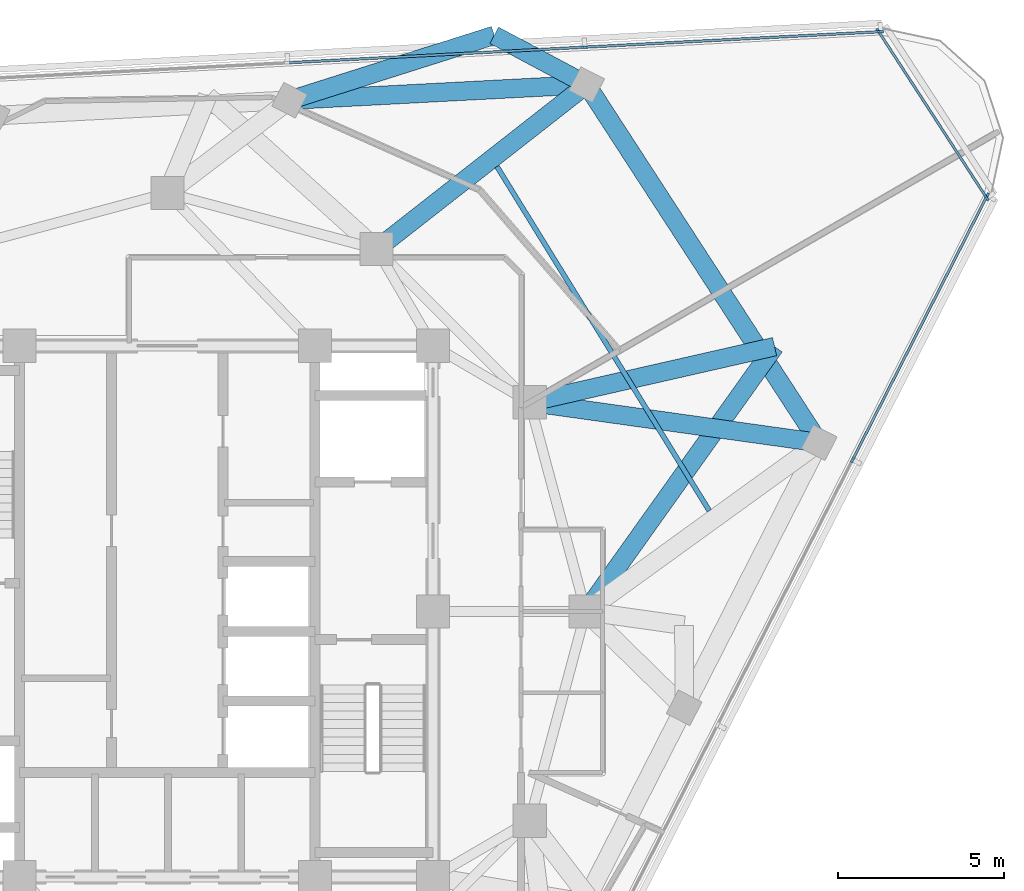
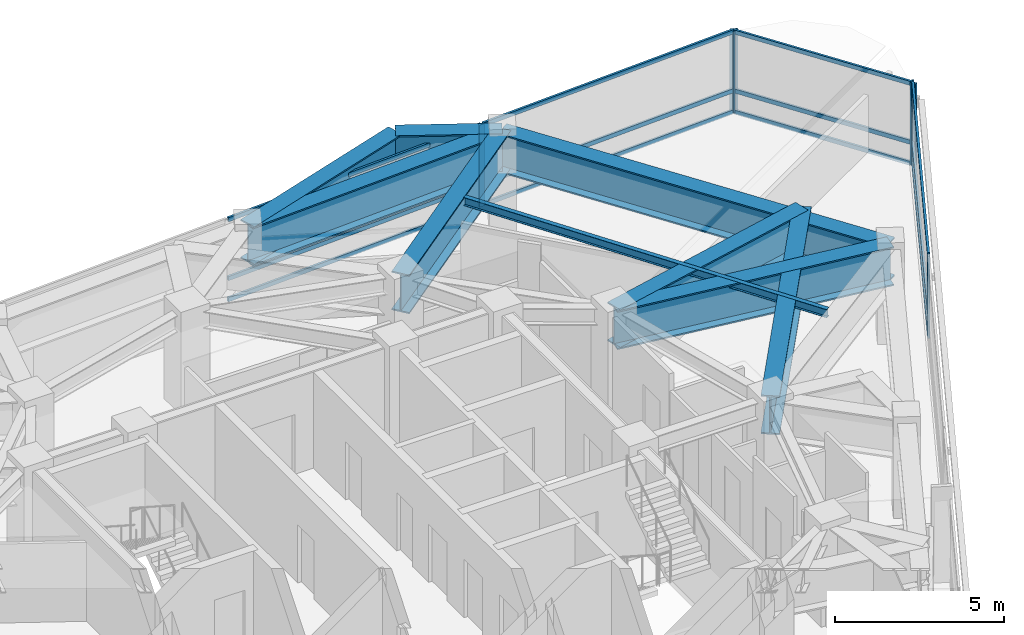
# One storey, part 6 of 15: 18 members, 9 beams, 3 elements without a shape of their own.
"""IFC4 building model written with IfcOpenShell, lengths in metres."""

from ifc_helpers import new_model, si_unit, direction, frame, origin, origin_2d, place, context, subcontext, project, spatial, rectangle, i_section, extrude, material, layer, layer_set, material_profile, profile_set, type_object, element, aggregate, save


model = new_model("IFC4")

# Units and contexts
model_context = context("Model", 3, precision=1e-05, world=origin(), true_north=direction((0.0, 1.0)))
body_context = subcontext(model_context, "Body", "Model", "MODEL_VIEW")
ifc_project = project(units=[si_unit("LENGTHUNIT", "METRE"), si_unit("AREAUNIT", "SQUARE_METRE"), si_unit("VOLUMEUNIT", "CUBIC_METRE"), si_unit("PLANEANGLEUNIT", "RADIAN"), si_unit("MASSUNIT", "GRAM", prefix="KILO")], contexts=[model_context])

# Site, building, storey
site_placement = place(None, origin())
site = spatial("IfcSite", under=ifc_project, at=site_placement, CompositionType="ELEMENT")
building_placement = place(site_placement, origin())
building = spatial("IfcBuilding", under=site, at=building_placement, Name="Terralouvre Media Tower", CompositionType="ELEMENT")
storey_placement = place(building_placement, frame((0.0, 0.0, 274.39990234375)))
storey = spatial("IfcBuildingStorey", under=building, at=storey_placement, Name="L71", CompositionType="ELEMENT", Elevation=274.39990234375)

# Beam
ifc_material_1 = material(Name="Structural steel S355J2", Category="steel")
ifc_material_profile_1 = material_profile(ifc_material_1, i_section(OverallWidth=0.14990234375, OverallDepth=0.300048828125, WebThickness=0.007080078125, FlangeThickness=0.0107421875, at=origin_2d()), Name="IPE 300")
ifc_profile_set_1 = profile_set([ifc_material_profile_1], Name="Structural steel S355J2")
beam_type_1 = type_object("IfcBeamType", Name="Composite Floor Joist J-IPE300 (IPE 300)", PredefinedType="JOIST", material=ifc_profile_set_1)
beam_1_placement = place(storey_placement, frame((16.31982421875, 3.032470703125, 3.31005859375), z_axis=(-0.524940502882, 0.851138924286, 0.0), x_axis=(-0.851138924286, -0.524940502882, 0.0)))
element("IfcBeam", 1, at=beam_1_placement, inside=storey, type_object=beam_type_1, Name="L71 Framing Beam JT-L71-03", PredefinedType="JOIST", context=body_context, shape_type="SweptSolid", body=[
    extrude(i_section(OverallWidth=0.14990234375, OverallDepth=0.300048828125, WebThickness=0.007080078125, FlangeThickness=0.0107421875, at=origin_2d()), origin(), (0.0, 0.0, 1.0), 12.1787109375),
])

# Curtain wall, members
ifc_material_2 = material(Name="Low-iron laminated double glazing with solar-control coating", Category="glass")
ifc_layer_1 = layer(ifc_material_2, 0.1650390625, Name="Upper Executive Tower Curtain Wall CW-05")
ifc_layer_set_1 = layer_set([ifc_layer_1], Name="Low-iron laminated double glazing with solar-control coating")
curtain_wall_type_1 = type_object("IfcCurtainWallType", Name="Upper Executive Tower Curtain Wall CW-05", PredefinedType="NOTDEFINED", material=ifc_layer_set_1)
curtain_wall_1_placement = place(storey_placement, origin())
curtain_wall_1 = element("IfcCurtainWall", 2, at=curtain_wall_1_placement, inside=storey, type_object=curtain_wall_type_1, Name="L71 Facade Curtain Wall F0", PredefinedType="NOTDEFINED")
ifc_material_3 = material(Name="Anodised extruded aluminium 6063-T6", Category="aluminium")
ifc_material_profile_2 = material_profile(ifc_material_3, rectangle(XDim=0.074951171875, YDim=0.14990234375, at=origin_2d()), Name="ALU 75x150")
ifc_profile_set_2 = profile_set([ifc_material_profile_2], Name="Anodised extruded aluminium 6063-T6")
member_type_1 = type_object("IfcMemberType", Name="Curtain-Wall Horizontal Transom TR-150", PredefinedType="USERDEFINED", material=ifc_profile_set_2)
member_1_placement = place(storey_placement, frame((20.6533203125, 4.602783203125, 0.03759765625), z_axis=(0.453989026721, 0.891007274727, 0.0), x_axis=(-0.891007274727, 0.453989026721, 0.0)))
member_1 = element("IfcMember", 3, at=member_1_placement, type_object=member_type_1, Name="CW-05 transom 5.1", ObjectType="TRANSOM", PredefinedType="USERDEFINED", context=body_context, shape_type="SweptSolid", body=[
    extrude(rectangle(XDim=0.074951171875, YDim=0.14990234375, at=origin_2d()), origin(), (0.0, 0.0, 1.0), 8.847412109375),
])
member_2_placement = place(storey_placement, frame((20.6533203125, 4.602783203125, 0.800048828125), z_axis=(0.453989026721, 0.891007274727, 0.0), x_axis=(-0.891007274727, 0.453989026721, 0.0)))
member_2 = element("IfcMember", 4, at=member_2_placement, type_object=member_type_1, Name="CW-05 transom 5.2", ObjectType="TRANSOM", PredefinedType="USERDEFINED", context=body_context, shape_type="SweptSolid", body=[
    extrude(rectangle(XDim=0.074951171875, YDim=0.14990234375, at=origin_2d()), origin(), (0.0, 0.0, 1.0), 8.847412109375),
])
member_3_placement = place(storey_placement, frame((20.6533203125, 4.602783203125, 2.922607421875), z_axis=(0.453989026721, 0.891007274727, 0.0), x_axis=(-0.891007274727, 0.453989026721, 0.0)))
member_3 = element("IfcMember", 5, at=member_3_placement, type_object=member_type_1, Name="CW-05 transom 5.3", ObjectType="TRANSOM", PredefinedType="USERDEFINED", context=body_context, shape_type="SweptSolid", body=[
    extrude(rectangle(XDim=0.074951171875, YDim=0.14990234375, at=origin_2d()), origin(), (0.0, 0.0, 1.0), 8.847412109375),
])

curtain_wall_2_placement = place(storey_placement, origin())
curtain_wall_2 = element("IfcCurtainWall", 6, at=curtain_wall_2_placement, inside=storey, type_object=curtain_wall_type_1, Name="L71 Facade Curtain Wall F1", PredefinedType="NOTDEFINED")
member_4_placement = place(storey_placement, frame((21.440673828125, 17.458740234375, 0.03759765625), z_axis=(-0.99862901196, -0.052345930801, 0.0), x_axis=(0.052345930801, -0.99862901196, 0.0)))
member_4 = element("IfcMember", 7, at=member_4_placement, type_object=member_type_1, Name="CW-05 transom 1.1", ObjectType="TRANSOM", PredefinedType="USERDEFINED", context=body_context, shape_type="SweptSolid", body=[
    extrude(rectangle(XDim=0.074951171875, YDim=0.14990234375, at=origin_2d()), origin(), (0.0, 0.0, 1.0), 8.84765625),
])
member_5_placement = place(storey_placement, frame((21.440673828125, 17.458740234375, 0.800048828125), z_axis=(-0.99862901196, -0.052345930801, 0.0), x_axis=(0.052345930801, -0.99862901196, 0.0)))
member_5 = element("IfcMember", 8, at=member_5_placement, type_object=member_type_1, Name="CW-05 transom 1.2", ObjectType="TRANSOM", PredefinedType="USERDEFINED", context=body_context, shape_type="SweptSolid", body=[
    extrude(rectangle(XDim=0.074951171875, YDim=0.14990234375, at=origin_2d()), origin(), (0.0, 0.0, 1.0), 8.84765625),
])
member_6_placement = place(storey_placement, frame((21.440673828125, 17.458740234375, 2.922607421875), z_axis=(-0.99862901196, -0.052345930801, 0.0), x_axis=(0.052345930801, -0.99862901196, 0.0)))
member_6 = element("IfcMember", 9, at=member_6_placement, type_object=member_type_1, Name="CW-05 transom 1.3", ObjectType="TRANSOM", PredefinedType="USERDEFINED", context=body_context, shape_type="SweptSolid", body=[
    extrude(rectangle(XDim=0.074951171875, YDim=0.14990234375, at=origin_2d()), origin(), (0.0, 0.0, 1.0), 8.84765625),
])
member_7_placement = place(storey_placement, frame((12.5302734375, 16.99169921875, 0.03759765625), z_axis=(-0.998629040577, -0.052345384869, 0.0), x_axis=(0.052345384869, -0.998629040577, 0.0)))
member_7 = element("IfcMember", 10, at=member_7_placement, type_object=member_type_1, Name="CW-05 transom 2.1", ObjectType="TRANSOM", PredefinedType="USERDEFINED", context=body_context, shape_type="SweptSolid", body=[
    extrude(rectangle(XDim=0.074951171875, YDim=0.14990234375, at=origin_2d()), origin(), (0.0, 0.0, 1.0), 8.885009765625),
])
member_8_placement = place(storey_placement, frame((12.5302734375, 16.99169921875, 0.800048828125), z_axis=(-0.998629040577, -0.052345384869, 0.0), x_axis=(0.052345384869, -0.998629040577, 0.0)))
member_8 = element("IfcMember", 11, at=member_8_placement, type_object=member_type_1, Name="CW-05 transom 2.2", ObjectType="TRANSOM", PredefinedType="USERDEFINED", context=body_context, shape_type="SweptSolid", body=[
    extrude(rectangle(XDim=0.074951171875, YDim=0.14990234375, at=origin_2d()), origin(), (0.0, 0.0, 1.0), 8.885009765625),
])
member_9_placement = place(storey_placement, frame((12.5302734375, 16.99169921875, 2.922607421875), z_axis=(-0.998629040577, -0.052345384869, 0.0), x_axis=(0.052345384869, -0.998629040577, 0.0)))
member_9 = element("IfcMember", 12, at=member_9_placement, type_object=member_type_1, Name="CW-05 transom 2.3", ObjectType="TRANSOM", PredefinedType="USERDEFINED", context=body_context, shape_type="SweptSolid", body=[
    extrude(rectangle(XDim=0.074951171875, YDim=0.14990234375, at=origin_2d()), origin(), (0.0, 0.0, 1.0), 8.885009765625),
])

ifc_material_4 = material(Name="Low-iron laminated double glazing with solar-control coating", Category="glass")
ifc_layer_2 = layer(ifc_material_4, 0.1650390625, Name="Rounded Wind-Corner Curved Glazing CW-04")
ifc_layer_set_2 = layer_set([ifc_layer_2], Name="Low-iron laminated double glazing with solar-control coating")
curtain_wall_type_2 = type_object("IfcCurtainWallType", Name="Rounded Wind-Corner Curved Glazing CW-04", PredefinedType="NOTDEFINED", material=ifc_layer_set_2)
curtain_wall_3_placement = place(storey_placement, origin())
curtain_wall_3 = element("IfcCurtainWall", 13, at=curtain_wall_3_placement, inside=storey, type_object=curtain_wall_type_2, Name="L71 Rounded Wind-Corner Curtain Wall C1", PredefinedType="NOTDEFINED")
member_10_placement = place(storey_placement, frame((24.65283203125, 12.48486328125, 0.03759765625), z_axis=(-0.544654480098, 0.838660537589, 0.0), x_axis=(-0.838660537589, -0.544654480098, 0.0)))
member_10 = element("IfcMember", 14, at=member_10_placement, type_object=member_type_1, Name="CW-04 transom 1.1", ObjectType="TRANSOM", PredefinedType="USERDEFINED", context=body_context, shape_type="SweptSolid", body=[
    extrude(rectangle(XDim=0.074951171875, YDim=0.14990234375, at=origin_2d()), origin(), (0.0, 0.0, 1.0), 5.912353515625),
])
member_11_placement = place(storey_placement, frame((24.65283203125, 12.48486328125, 0.800048828125), z_axis=(-0.544654480098, 0.838660537589, 0.0), x_axis=(-0.838660537589, -0.544654480098, 0.0)))
member_11 = element("IfcMember", 15, at=member_11_placement, type_object=member_type_1, Name="CW-04 transom 1.2", ObjectType="TRANSOM", PredefinedType="USERDEFINED", context=body_context, shape_type="SweptSolid", body=[
    extrude(rectangle(XDim=0.074951171875, YDim=0.14990234375, at=origin_2d()), origin(), (0.0, 0.0, 1.0), 5.912353515625),
])
member_12_placement = place(storey_placement, frame((24.65283203125, 12.48486328125, 2.922607421875), z_axis=(-0.544654480098, 0.838660537589, 0.0), x_axis=(-0.838660537589, -0.544654480098, 0.0)))
member_12 = element("IfcMember", 16, at=member_12_placement, type_object=member_type_1, Name="CW-04 transom 1.3", ObjectType="TRANSOM", PredefinedType="USERDEFINED", context=body_context, shape_type="SweptSolid", body=[
    extrude(rectangle(XDim=0.074951171875, YDim=0.14990234375, at=origin_2d()), origin(), (0.0, 0.0, 1.0), 5.912353515625),
])

# Member
ifc_material_5 = material(Name="Anodised extruded aluminium 6063-T6", Category="aluminium")
ifc_material_profile_3 = material_profile(ifc_material_5, rectangle(XDim=0.074951171875, YDim=0.179931640625, at=origin_2d()), Name="ALU 75x180")
ifc_profile_set_3 = profile_set([ifc_material_profile_3], Name="Anodised extruded aluminium 6063-T6")
member_type_2 = type_object("IfcMemberType", Name="Curtain-Wall Vertical Mullion ML-180", PredefinedType="MULLION", material=ifc_profile_set_3)
member_13_placement = place(storey_placement, frame((20.63623046875, 4.5693359375, 0.0), z_axis=(0.0, 0.0, 1.0), x_axis=(-0.891006553308, 0.45399044259, 0.0)))
member_13 = element("IfcMember", 17, at=member_13_placement, type_object=member_type_2, Name="CW-05 mullion 5", PredefinedType="MULLION", context=body_context, shape_type="SweptSolid", body=[
    extrude(rectangle(XDim=0.074951171875, YDim=0.179931640625, at=origin_2d()), origin(), (0.0, 0.0, 1.0), 2.960205078125),
])

member_14_placement = place(storey_placement, frame((24.68701171875, 12.519287109375, 0.0), z_axis=(0.0, 0.0, 1.0), x_axis=(-0.891006553308, 0.45399044259, 0.0)))
member_14 = element("IfcMember", 18, at=member_14_placement, type_object=member_type_2, Name="CW-05 mullion 6", PredefinedType="MULLION", context=body_context, shape_type="SweptSolid", body=[
    extrude(rectangle(XDim=0.074951171875, YDim=0.179931640625, at=origin_2d()), origin(), (0.0, 0.0, 1.0), 2.960205078125),
])

aggregate(curtain_wall_1, [member_13, member_14, member_1, member_2, member_3])

member_15_placement = place(storey_placement, frame((21.47802734375, 17.460693359375, 0.0), z_axis=(0.0, 0.0, 1.0), x_axis=(0.052336163844, -0.998629523875, 0.0)))
member_15 = element("IfcMember", 19, at=member_15_placement, type_object=member_type_2, Name="CW-05 mullion 1", PredefinedType="MULLION", context=body_context, shape_type="SweptSolid", body=[
    extrude(rectangle(XDim=0.074951171875, YDim=0.179931640625, at=origin_2d()), origin(), (0.0, 0.0, 1.0), 2.960205078125),
])

member_16_placement = place(storey_placement, frame((12.56787109375, 16.99365234375, 0.0), z_axis=(0.0, 0.0, 1.0), x_axis=(0.052336163844, -0.998629523875, 0.0)))
member_16 = element("IfcMember", 20, at=member_16_placement, type_object=member_type_2, Name="CW-05 mullion 2", PredefinedType="MULLION", context=body_context, shape_type="SweptSolid", body=[
    extrude(rectangle(XDim=0.074951171875, YDim=0.179931640625, at=origin_2d()), origin(), (0.0, 0.0, 1.0), 2.960205078125),
])

aggregate(curtain_wall_2, [member_15, member_16, member_4, member_5, member_6, member_7, member_8, member_9])

member_17_placement = place(storey_placement, frame((24.673095703125, 12.453369140625, 0.0), z_axis=(0.0, 0.0, 1.0), x_axis=(-0.838670462688, -0.544639197097, 0.0)))
member_17 = element("IfcMember", 21, at=member_17_placement, type_object=member_type_2, Name="CW-04 mullion 1", PredefinedType="MULLION", context=body_context, shape_type="SweptSolid", body=[
    extrude(rectangle(XDim=0.074951171875, YDim=0.179931640625, at=origin_2d()), origin(), (0.0, 0.0, 1.0), 2.960205078125),
])

member_18_placement = place(storey_placement, frame((21.412353515625, 17.474853515625, 0.0), z_axis=(0.0, 0.0, 1.0), x_axis=(-0.838670462688, -0.544639197097, 0.0)))
member_18 = element("IfcMember", 22, at=member_18_placement, type_object=member_type_2, Name="CW-04 mullion 2", PredefinedType="MULLION", context=body_context, shape_type="SweptSolid", body=[
    extrude(rectangle(XDim=0.074951171875, YDim=0.179931640625, at=origin_2d()), origin(), (0.0, 0.0, 1.0), 2.960205078125),
])

aggregate(curtain_wall_3, [member_17, member_18, member_10, member_11, member_12])

# Beams
ifc_material_6 = material(Name="Structural steel S460M", Category="steel")
ifc_material_profile_4 = material_profile(ifc_material_6, i_section(OverallWidth=0.56005859375, OverallDepth=1.39990234375, WebThickness=0.031982421875, FlangeThickness=0.050048828125, at=origin_2d()), Name="TG 1400x560")
ifc_profile_set_4 = profile_set([ifc_material_profile_4], Name="Structural steel S460M")
beam_type_2 = type_object("IfcBeamType", Name="Welded Transfer Girder TG-1400 (TG 1400x560)", PredefinedType="USERDEFINED", material=ifc_profile_set_4)
beam_2_placement = place(storey_placement, frame((19.62939453125, 5.082275390625, 2.760009765625), z_axis=(-0.544633890672, 0.838673908699, 0.0), x_axis=(-0.838673908699, -0.544633890672, 0.0)))
element("IfcBeam", 23, at=beam_2_placement, inside=storey, type_object=beam_type_2, Name="L71 Framing Beam BM-L71-PR07", ObjectType="TRANSFER GIRDER", PredefinedType="USERDEFINED", context=body_context, shape_type="SweptSolid", body=[
    extrude(i_section(OverallWidth=0.56005859375, OverallDepth=1.39990234375, WebThickness=0.031982421875, FlangeThickness=0.050048828125, at=origin_2d()), origin(), (0.0, 0.0, 1.0), 12.857177734375),
])
beam_3_placement = place(storey_placement, frame((12.626953125, 15.865234375, 2.760009765625), z_axis=(-0.998629171747, -0.052342882372, 0.0), x_axis=(0.052342882372, -0.998629171747, 0.0)))
element("IfcBeam", 24, at=beam_3_placement, inside=storey, type_object=beam_type_2, Name="L71 Framing Beam BM-L71-PR08", ObjectType="TRANSFER GIRDER", PredefinedType="USERDEFINED", context=body_context, shape_type="SweptSolid", body=[
    extrude(i_section(OverallWidth=0.56005859375, OverallDepth=1.39990234375, WebThickness=0.031982421875, FlangeThickness=0.050048828125, at=origin_2d()), origin(), (0.0, 0.0, 1.0), 8.9599609375),
])
beam_4_placement = place(storey_placement, frame((6.300048828125, 10.911865234375, 2.760009765625), z_axis=(0.787391503235, 0.616453259083, 0.0), x_axis=(-0.616453259083, 0.787391503235, 0.0)))
element("IfcBeam", 25, at=beam_4_placement, inside=storey, type_object=beam_type_2, Name="L71 Framing Beam BM-L71-RD08", ObjectType="TRANSFER GIRDER", PredefinedType="USERDEFINED", context=body_context, shape_type="SweptSolid", body=[
    extrude(i_section(OverallWidth=0.56005859375, OverallDepth=1.39990234375, WebThickness=0.031982421875, FlangeThickness=0.050048828125, at=origin_2d()), origin(), (0.0, 0.0, 1.0), 8.03515625),
])
beam_5_placement = place(storey_placement, frame((19.62939453125, 5.082275390625, 2.760009765625), z_axis=(-0.990383518411, 0.138349146941, 0.0), x_axis=(-0.138349146941, -0.990383518411, 0.0)))
element("IfcBeam", 26, at=beam_5_placement, inside=storey, type_object=beam_type_2, Name="L71 Framing Beam BM-L71-TRC04", ObjectType="TRANSFER GIRDER", PredefinedType="USERDEFINED", context=body_context, shape_type="SweptSolid", body=[
    extrude(i_section(OverallWidth=0.56005859375, OverallDepth=1.39990234375, WebThickness=0.031982421875, FlangeThickness=0.050048828125, at=origin_2d()), origin(), (0.0, 0.0, 1.0), 8.80224609375),
])
beam_6_placement = place(storey_placement, frame((18.285888671875, 7.975830078125, 2.760009765625), z_axis=(-0.975136661347, -0.221604358479, 0.0), x_axis=(0.221604358479, -0.975136661347, 0.0)))
element("IfcBeam", 27, at=beam_6_placement, inside=storey, type_object=beam_type_2, Name="L71 Framing Beam BM-L71-TR04S1", ObjectType="TRANSFER GIRDER", PredefinedType="USERDEFINED", context=body_context, shape_type="SweptSolid", body=[
    extrude(i_section(OverallWidth=0.56005859375, OverallDepth=1.39990234375, WebThickness=0.031982421875, FlangeThickness=0.050048828125, at=origin_2d()), origin(), (0.0, 0.0, 1.0), 7.56201171875),
])
beam_7_placement = place(storey_placement, frame((18.285888671875, 7.975830078125, 2.760009765625), z_axis=(-0.580478738178, -0.814275404592, 0.0), x_axis=(0.814275404592, -0.580478738178, 0.0)))
element("IfcBeam", 28, at=beam_7_placement, inside=storey, type_object=beam_type_2, Name="L71 Framing Beam BM-L71-TR04S2", ObjectType="TRANSFER GIRDER", PredefinedType="USERDEFINED", context=body_context, shape_type="SweptSolid", body=[
    extrude(i_section(OverallWidth=0.56005859375, OverallDepth=1.39990234375, WebThickness=0.031982421875, FlangeThickness=0.050048828125, at=origin_2d()), origin(), (0.0, 0.0, 1.0), 9.794921875),
])
beam_8_placement = place(storey_placement, frame((9.843505859375, 17.35205078125, 2.760009765625), z_axis=(0.882048647368, -0.471158342467, 0.0), x_axis=(0.471158342467, 0.882048647368, 0.0)))
element("IfcBeam", 29, at=beam_8_placement, inside=storey, type_object=beam_type_2, Name="L71 Framing Beam BM-L71-TR05S1", ObjectType="TRANSFER GIRDER", PredefinedType="USERDEFINED", context=body_context, shape_type="SweptSolid", body=[
    extrude(i_section(OverallWidth=0.56005859375, OverallDepth=1.39990234375, WebThickness=0.031982421875, FlangeThickness=0.050048828125, at=origin_2d()), origin(), (0.0, 0.0, 1.0), 3.15576171875),
])
beam_9_placement = place(storey_placement, frame((9.843505859375, 17.35205078125, 2.760009765625), z_axis=(-0.953173851612, -0.302422896957, 0.0), x_axis=(0.302422896957, -0.953173851612, 0.0)))
element("IfcBeam", 30, at=beam_9_placement, inside=storey, type_object=beam_type_2, Name="L71 Framing Beam BM-L71-TR05S2", ObjectType="TRANSFER GIRDER", PredefinedType="USERDEFINED", context=body_context, shape_type="SweptSolid", body=[
    extrude(i_section(OverallWidth=0.56005859375, OverallDepth=1.39990234375, WebThickness=0.031982421875, FlangeThickness=0.050048828125, at=origin_2d()), origin(), (0.0, 0.0, 1.0), 6.467041015625),
])

save(model, "model.ifc")
